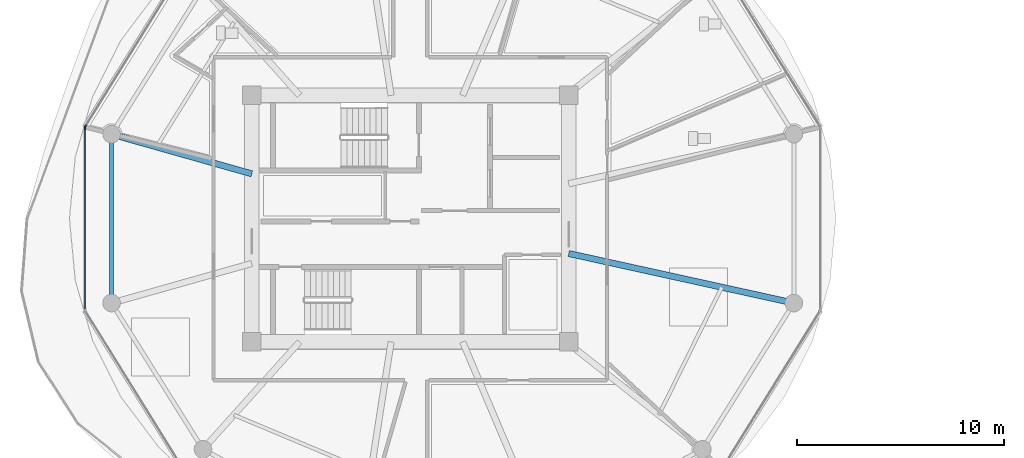
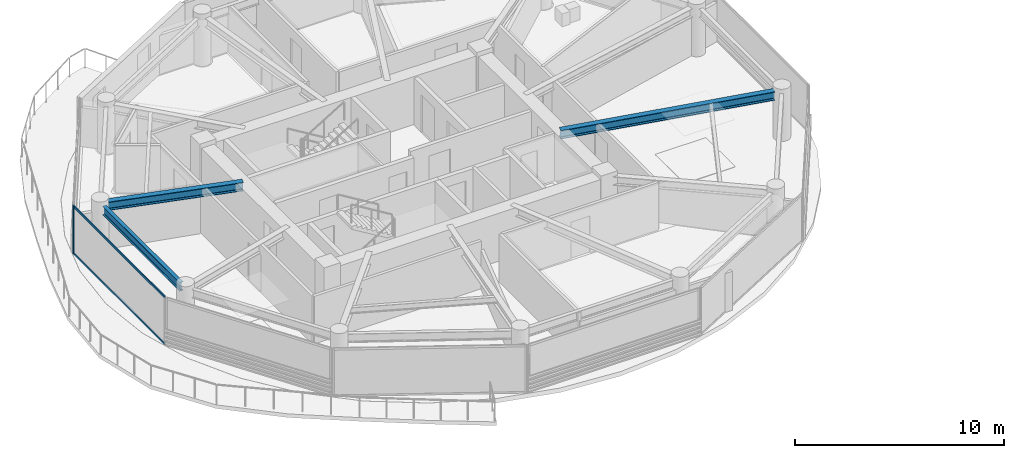
# One storey, part 3 of 25: 4 members, 3 beams, 2 elements without a shape of their own.
"""IFC4 building model written with IfcOpenShell, lengths in metres."""

from ifc_helpers import new_model, si_unit, direction, frame, origin, origin_2d, place, context, subcontext, project, spatial, rectangle, i_section, extrude, source, transform, mapped, material, layer, layer_set, material_profile, profile_set, type_object, type_shapes, element, aggregate, save


model = new_model("IFC4")

# Units and contexts
model_context = context("Model", 3, precision=1e-05, world=origin(), true_north=direction((0.0, 1.0)))
body_context = subcontext(model_context, "Body", "Model", "MODEL_VIEW")
ifc_project = project(units=[si_unit("LENGTHUNIT", "METRE"), si_unit("AREAUNIT", "SQUARE_METRE"), si_unit("VOLUMEUNIT", "CUBIC_METRE"), si_unit("PLANEANGLEUNIT", "RADIAN"), si_unit("MASSUNIT", "GRAM", prefix="KILO")], contexts=[model_context])

# Site, building, storey
site_placement = place(None, origin())
site = spatial("IfcSite", under=ifc_project, at=site_placement, CompositionType="ELEMENT")
building_placement = place(site_placement, origin())
building = spatial("IfcBuilding", under=site, at=building_placement, Name="Norrkilde Senior Care Towers", CompositionType="ELEMENT")
storey_placement = place(building_placement, frame((0.0, 0.0, 99.300048828125)))
storey = spatial("IfcBuildingStorey", under=building, at=storey_placement, Name="L30", CompositionType="ELEMENT", Elevation=99.300048828125)

# Beams
ifc_material_1 = material(Name="Steel S355", Category="steel")
ifc_material_profile_1 = material_profile(ifc_material_1, i_section(OverallWidth=0.300048828125, OverallDepth=0.5, WebThickness=0.014404296875, FlangeThickness=0.028076171875, FilletRadius=0.027099609375, at=origin_2d()), Name="HEB 500")
ifc_profile_set_1 = profile_set([ifc_material_profile_1], Name="Steel S355")
beam_type_1 = type_object("IfcBeamType", Name="Radial Floor Beam Z2 HEB500", PredefinedType="BEAM", material=ifc_profile_set_1)
shared_shape_1 = source(origin(), body_context, "Body", "SweptSolid", [
    extrude(i_section(OverallWidth=0.300048828125, OverallDepth=0.5, WebThickness=0.014404296875, FlangeThickness=0.028076171875, FilletRadius=0.027099609375, at=origin_2d()), origin(), (0.0, 0.0, 1.0), 10.744384765625),
])
beam_1_placement = place(storey_placement, frame((-20.35009765625, -1.683837890625, 2.5400390625), z_axis=(0.976618711422, -0.214978818724, 0.0), x_axis=(0.214978818724, 0.976618711422, 0.0)))
element("IfcBeam", 1, at=beam_1_placement, inside=storey, type_object=beam_type_1, Name="L30 Drum W Radial Floor Beam 12", PredefinedType="BEAM", context=body_context, shape_type="MappedRepresentation", body=[
    mapped(shared_shape_1, transform((0.0, 0.0, 0.0), x_axis=(1.0, 0.0, 0.0), y_axis=(0.0, 1.0, 0.0), z_axis=(0.0, 0.0, 1.0), scale=1.0)),
])
ifc_material_profile_2 = material_profile(ifc_material_1, i_section(OverallWidth=0.199951171875, OverallDepth=0.5, WebThickness=0.01025390625, FlangeThickness=0.01611328125, FilletRadius=0.02099609375, at=origin_2d()), Name="IPE 500")
ifc_profile_set_2 = profile_set([ifc_material_profile_2], Name="Steel S355")
beam_type_2 = type_object("IfcBeamType", Name="Perimeter Ring Spandrel Z2 IPE500", PredefinedType="SPANDREL", material=ifc_profile_set_2)
shared_shape_2 = source(origin(), body_context, "Body", "SweptSolid", [
    extrude(i_section(OverallWidth=0.199951171875, OverallDepth=0.5, WebThickness=0.01025390625, FlangeThickness=0.01611328125, FilletRadius=0.02099609375, at=origin_2d()), origin(), (0.0, 0.0, 1.0), 7.3828125),
])
type_shapes(beam_type_2, [shared_shape_2])
beam_2_placement = place(storey_placement, frame((-42.4189453125, 3.69140625, 2.5400390625), z_axis=(0.0, -1.0, 0.0), x_axis=(1.0, 0.0, 0.0)))
element("IfcBeam", 2, at=beam_2_placement, inside=storey, type_object=beam_type_2, Name="L30 Drum W Perimeter Spandrel 06", PredefinedType="SPANDREL", context=body_context, shape_type="MappedRepresentation", body=[
    mapped(shared_shape_2, transform((0.0, 0.0, 0.0), x_axis=(1.0, 0.0, 0.0), y_axis=(0.0, 1.0, 0.0), z_axis=(0.0, 0.0, 1.0), scale=1.0)),
])
shared_shape_3 = source(origin(), body_context, "Body", "SweptSolid", [
    extrude(i_section(OverallWidth=0.300048828125, OverallDepth=0.5, WebThickness=0.014404296875, FlangeThickness=0.028076171875, FilletRadius=0.027099609375, at=origin_2d()), origin(), (0.0, 0.0, 1.0), 6.6494140625),
])
type_shapes(beam_type_1, [shared_shape_1, shared_shape_3])
beam_3_placement = place(storey_placement, frame((-35.64990234375, 2.162841796875, 2.5400390625), z_axis=(-0.962289138357, 0.27202870106, 0.0), x_axis=(-0.27202870106, -0.962289138357, 0.0)))
element("IfcBeam", 3, at=beam_3_placement, inside=storey, type_object=beam_type_1, Name="L30 Drum W Radial Floor Beam 06", PredefinedType="BEAM", context=body_context, shape_type="MappedRepresentation", body=[
    mapped(shared_shape_3, transform((0.0, 0.0, 0.0), x_axis=(1.0, 0.0, 0.0), y_axis=(0.0, 1.0, 0.0), z_axis=(0.0, 0.0, 1.0), scale=1.0)),
])

# Curtain wall, member
ifc_material_2 = material(Name="Triple Low-E Insulated Glazing", Category="glass")
ifc_layer = layer(ifc_material_2, 0.195068359375)
ifc_layer_set = layer_set([ifc_layer], Name="Triple Low-E Insulated Glazing")
curtain_wall_type = type_object("IfcCurtainWallType", Name="CW3 Zone 2 Assisted Living Curtain Wall", PredefinedType="NOTDEFINED", material=ifc_layer_set)
curtain_wall_1_placement = place(storey_placement, origin())
curtain_wall_1 = element("IfcCurtainWall", 4, at=curtain_wall_1_placement, inside=storey, type_object=curtain_wall_type, Name="L30 Drum W Curtain Wall 04", PredefinedType="NOTDEFINED")
ifc_material_3 = material(Name="Anodised Aluminium", Category="aluminium")
ifc_material_profile_3 = material_profile(ifc_material_3, rectangle(XDim=0.06494140625, YDim=0.159912109375, at=origin_2d()), Name="ALU MULL 65x160")
ifc_profile_set_3 = profile_set([ifc_material_profile_3], Name="Anodised Aluminium")
member_type_1 = type_object("IfcMemberType", Name="Curtain Wall Mullion Z1-Z2 65x160", PredefinedType="MULLION", material=ifc_profile_set_3)
shared_shape_4 = source(origin(), body_context, "Body", "SweptSolid", [
    extrude(rectangle(XDim=0.06494140625, YDim=0.159912109375, at=origin_2d()), origin(), (0.0, 0.0, 1.0), 2.7900390625),
])
type_shapes(member_type_1, [shared_shape_4])
member_1_placement = place(storey_placement, frame((-43.6865234375, 4.4482421875, 0.0), z_axis=(0.0, 0.0, 1.0), x_axis=(-0.849410171862, 0.527733228002, 0.0)))
member_1 = element("IfcMember", 5, at=member_1_placement, type_object=member_type_1, Name="CW-3 mullion 1", PredefinedType="MULLION", context=body_context, shape_type="MappedRepresentation", body=[
    mapped(shared_shape_4, transform((0.0, 0.0, 0.0), x_axis=(1.0, 0.0, 0.0), y_axis=(0.0, 1.0, 0.0), z_axis=(0.0, 0.0, 1.0), scale=1.0)),
])
aggregate(curtain_wall_1, [member_1])

# Curtain wall, members
curtain_wall_2_placement = place(storey_placement, origin())
curtain_wall_2 = element("IfcCurtainWall", 6, at=curtain_wall_2_placement, inside=storey, type_object=curtain_wall_type, Name="L30 Drum W Curtain Wall 05", PredefinedType="NOTDEFINED")
member_2_placement = place(storey_placement, frame((-43.70361328125, 4.38818359375, 0.0), z_axis=(0.0, 0.0, 1.0), x_axis=(-1.0, 0.0, 0.0)))
member_2 = element("IfcMember", 7, at=member_2_placement, type_object=member_type_1, Name="CW-3 mullion 2", PredefinedType="MULLION", context=body_context, shape_type="MappedRepresentation", body=[
    mapped(shared_shape_4, transform((0.0, 0.0, 0.0), x_axis=(1.0, 0.0, 0.0), y_axis=(0.0, 1.0, 0.0), z_axis=(0.0, 0.0, 1.0), scale=1.0)),
])
ifc_material_profile_4 = material_profile(ifc_material_3, rectangle(XDim=0.06005859375, YDim=0.1201171875, at=origin_2d()), Name="ALU TRAN 60x120")
ifc_profile_set_4 = profile_set([ifc_material_profile_4], Name="Anodised Aluminium")
member_type_2 = type_object("IfcMemberType", Name="Curtain Wall Transom Typical 60x120", PredefinedType="USERDEFINED", material=ifc_profile_set_4)
shared_shape_5 = source(origin(), body_context, "Body", "SweptSolid", [
    extrude(rectangle(XDim=0.06005859375, YDim=0.1201171875, at=origin_2d()), origin(), (0.0, 0.0, 1.0), 8.71142578125),
])
type_shapes(member_type_2, [shared_shape_5])
member_3_placement = place(storey_placement, frame((-43.70361328125, -4.355712890625, 0.030029296875), z_axis=(0.0, 1.0, 0.0), x_axis=(-1.0, 0.0, 0.0)))
member_3 = element("IfcMember", 8, at=member_3_placement, type_object=member_type_2, Name="CW-3 transom 1.1", ObjectType="TRANSOM", PredefinedType="USERDEFINED", context=body_context, shape_type="MappedRepresentation", body=[
    mapped(shared_shape_5, transform((0.0, 0.0, 0.0), x_axis=(1.0, 0.0, 0.0), y_axis=(0.0, 1.0, 0.0), z_axis=(0.0, 0.0, 1.0), scale=1.0)),
])
member_4_placement = place(storey_placement, frame((-43.70361328125, -4.355712890625, 2.760009765625), z_axis=(0.0, 1.0, 0.0), x_axis=(-1.0, 0.0, 0.0)))
member_4 = element("IfcMember", 9, at=member_4_placement, type_object=member_type_2, Name="CW-3 transom 1.2", ObjectType="TRANSOM", PredefinedType="USERDEFINED", context=body_context, shape_type="MappedRepresentation", body=[
    mapped(shared_shape_5, transform((0.0, 0.0, 0.0), x_axis=(1.0, 0.0, 0.0), y_axis=(0.0, 1.0, 0.0), z_axis=(0.0, 0.0, 1.0), scale=1.0)),
])
aggregate(curtain_wall_2, [member_2, member_3, member_4])

save(model, "model.ifc")
